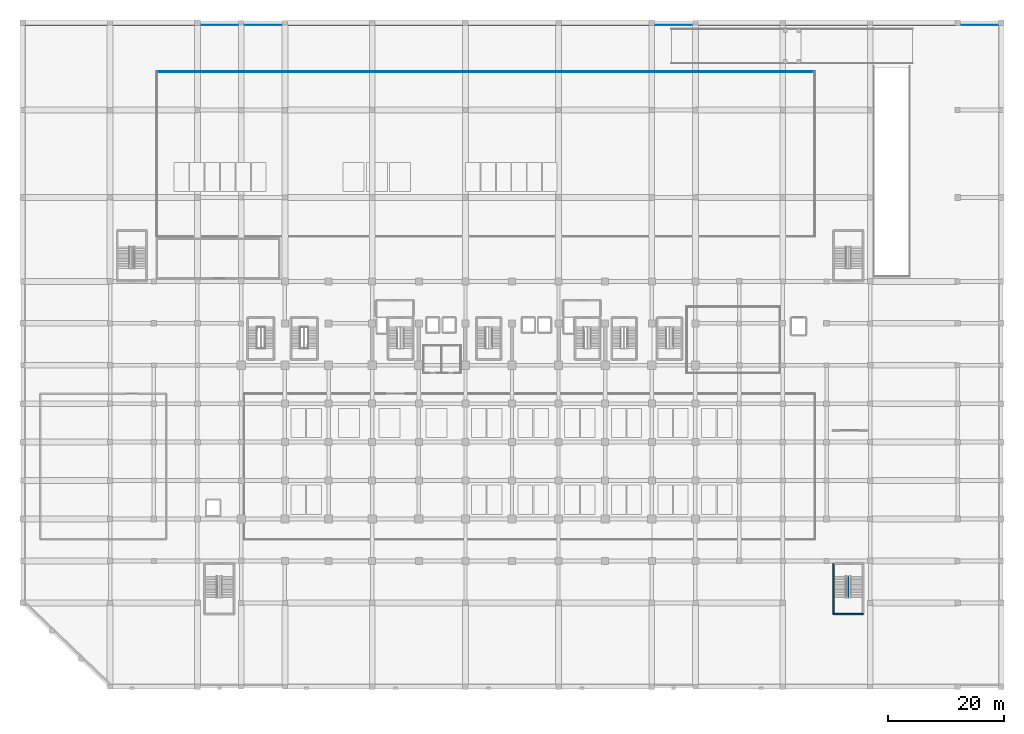
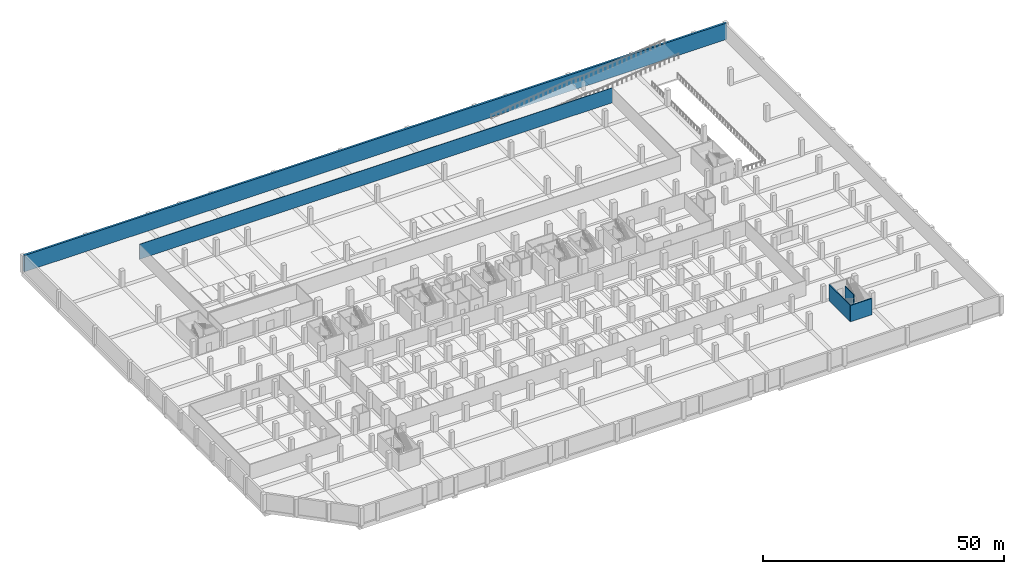
# One storey, part 15 of 25: 5 walls.
"""IFC4 building model written with IfcOpenShell, lengths in metres."""

import ifcopenshell
import ifcopenshell.guid

model = None  # the IFC model being written
_history = None  # IfcOwnerHistory: only IFC2X3 demands one
_inside = {}  # id of a spatial element -> (the spatial element, [elements in it])
_under = {}  # id of a project, library or spatial element -> (it, [spatial elements below it])
_declared = {}  # id of a project -> (the project, [libraries it declares])
_typed = {}  # id of a type object -> (the type object, [elements of that type])
_made_of = {}  # id of a material, layer set ... -> (it, [elements and type objects made of it])


def new_model(schema):
    """Start an empty IFC model of exactly this schema.

    Asked for "IFC4X3", IfcOpenShell would pick the latest addendum, in which some entities
    have other attributes; the version numbers below select the first issue.
    IFC2X3 requires an IfcOwnerHistory on every rooted entity: one is made here for all.
    """
    global model, _history
    if schema == "IFC4X3":
        model = ifcopenshell.file(schema_version=(4, 3, 0, 0))
    else:
        model = ifcopenshell.file(schema=schema)
    _inside.clear()
    _under.clear()
    _declared.clear()
    _typed.clear()
    _made_of.clear()
    _history = None
    if model.schema == "IFC2X3":
        org = make("IfcOrganization", Name="unknown")
        user = make(
            "IfcPersonAndOrganization",
            ThePerson=make("IfcPerson", FamilyName="unknown"),
            TheOrganization=org,
        )
        app = make(
            "IfcApplication",
            ApplicationDeveloper=org,
            Version="unknown",
            ApplicationFullName="unknown",
            ApplicationIdentifier="unknown",
        )
        _history = make(
            "IfcOwnerHistory",
            OwningUser=user,
            OwningApplication=app,
            ChangeAction="ADDED",
            CreationDate=0,
        )
    return model


def make(cls, **values):
    """One entity of the class cls with the attributes given. An attribute that is None is left unset."""
    return model.create_entity(
        cls, **{name: value for name, value in values.items() if value is not None}
    )


def rooted(cls, **values):
    """An entity with a GlobalId (a new one), such as an element, a storey or a relation."""
    return make(cls, GlobalId=ifcopenshell.guid.new(), OwnerHistory=_history, **values)


def si_unit(unit_type, name, prefix=None):
    """IfcSIUnit, for example si_unit("LENGTHUNIT", "METRE", prefix="MILLI")."""
    return make("IfcSIUnit", UnitType=unit_type, Prefix=prefix, Name=name)


def assignment(units):
    """IfcUnitAssignment: the units of a project."""
    return None if units is None else make("IfcUnitAssignment", Units=units)


def point(xyz):
    """IfcCartesianPoint."""
    return None if xyz is None else make("IfcCartesianPoint", Coordinates=xyz)


def direction(xyz):
    """IfcDirection."""
    return None if xyz is None else make("IfcDirection", DirectionRatios=xyz)


def frame(location, z_axis=None, x_axis=None):
    """IfcAxis2Placement3D, a coordinate frame: its origin and axes. An axis left out is left unset."""
    return make(
        "IfcAxis2Placement3D",
        Location=point(location),
        Axis=direction(z_axis),
        RefDirection=direction(x_axis),
    )


def frame_2d(location, x_axis=None):
    """IfcAxis2Placement2D, a coordinate frame in the plane: its origin and x axis."""
    return make(
        "IfcAxis2Placement2D", Location=point(location), RefDirection=direction(x_axis)
    )


def origin():
    """The frame at (0, 0, 0) with its axes left unset."""
    return frame((0.0, 0.0, 0.0))


def place(relative_to, where):
    """IfcLocalPlacement: puts the frame where relative to a parent placement (None: the world)."""
    return make(
        "IfcLocalPlacement", PlacementRelTo=relative_to, RelativePlacement=where
    )


def context(
    kind, dimensions, precision=None, world=None, true_north=None, identifier=None
):
    """IfcGeometricRepresentationContext, for example the 3D "Model" context."""
    return make(
        "IfcGeometricRepresentationContext",
        ContextIdentifier=identifier,
        ContextType=kind,
        CoordinateSpaceDimension=dimensions,
        Precision=precision,
        WorldCoordinateSystem=world,
        TrueNorth=true_north,
    )


def subcontext(parent, identifier, kind, view, scale=None):
    """IfcGeometricRepresentationSubContext, for example "Body" below "Model"."""
    return make(
        "IfcGeometricRepresentationSubContext",
        ContextIdentifier=identifier,
        ContextType=kind,
        ParentContext=parent,
        TargetScale=scale,
        TargetView=view,
    )


def project(units=None, contexts=None):
    """IfcProject with its units and contexts."""
    return rooted(
        "IfcProject",
        Name="project",
        RepresentationContexts=contexts,
        UnitsInContext=assignment(units),
    )


def spatial(cls, under=None, at=None, **own):
    """A site, building, storey or space (cls), placed at a placement, below another one or the project."""
    s = rooted(cls, ObjectPlacement=at, **own)
    if under is not None:
        _under.setdefault(under.id(), (under, []))[1].append(s)
    return s


def profile(cls, at=None, kind="AREA", **sizes):
    """A parametric profile (cls). Its sizes go by their IFC names, for example OverallWidth=200.0."""
    return make(cls, ProfileType=kind, Position=at, **sizes)


def rectangle(**sizes):
    """IfcRectangleProfileDef."""
    return profile("IfcRectangleProfileDef", **sizes)


def extrude(swept, where, along, depth):
    """IfcExtrudedAreaSolid: the profile swept, set in the frame where, extruded along a direction by depth."""
    return make(
        "IfcExtrudedAreaSolid",
        SweptArea=swept,
        Position=where,
        ExtrudedDirection=direction(along),
        Depth=depth,
    )


def shape(context_of_items, identifier, shape_type, items):
    """IfcShapeRepresentation: the items that make up one representation, for example the "Body"."""
    return make(
        "IfcShapeRepresentation",
        ContextOfItems=context_of_items,
        RepresentationIdentifier=identifier,
        RepresentationType=shape_type,
        Items=items,
    )


def material(Name=None, Category=None):
    """IfcMaterial."""
    return make("IfcMaterial", Name=Name, Category=Category)


def layer(
    of_material, thickness, ventilated=None, Name=None, Category=None, Priority=None
):
    """IfcMaterialLayer: one layer of a wall or slab, of a material (None: an air gap)."""
    return make(
        "IfcMaterialLayer",
        Material=of_material,
        LayerThickness=thickness,
        IsVentilated=ventilated,
        Name=Name,
        Category=Category,
        Priority=Priority,
    )


def layer_set(layers, Name=None):
    """IfcMaterialLayerSet."""
    return make("IfcMaterialLayerSet", MaterialLayers=layers, LayerSetName=Name)


def made_of(thing, what):
    """Note that an element or type object is made of a material, layer set ...; save() writes the relation."""
    if what is not None:
        _made_of.setdefault(what.id(), (what, []))[1].append(thing)
    return thing


def type_object(cls, material=None, **own):
    """A type object (cls), such as IfcWallType, which elements share."""
    return made_of(rooted(cls, **own), material)


def element(
    cls,
    number,
    at=None,
    inside=None,
    cuts=None,
    type_object=None,
    material=None,
    context=None,
    identifier="Body",
    shape_type=None,
    held_by="IfcProductDefinitionShape",
    body=None,
    shapes=None,
    **own,
):
    """One element of the class cls, such as IfcWall. Its Tag is "e" and its number.

    at: its placement. inside: the storey or other place that contains it. cuts: it is an
    opening in that element (IfcRelVoidsElement). A single representation is given by context,
    identifier, shape_type and body (its items); several are given by shapes. held_by: the class
    of the entity that holds the representations. save() writes the other relations.
    """
    e = rooted(cls, Tag="e%d" % number, ObjectPlacement=at, **own)
    if body is not None:
        shapes = [shape(context, identifier, shape_type, body)]
    if shapes is not None:
        e.Representation = make(held_by, Representations=shapes)
    if inside is not None:
        _inside.setdefault(inside.id(), (inside, []))[1].append(e)
    if cuts is not None:
        rooted(
            "IfcRelVoidsElement", RelatingBuildingElement=cuts, RelatedOpeningElement=e
        )
    if type_object is not None:
        _typed.setdefault(type_object.id(), (type_object, []))[1].append(e)
    return made_of(e, material)


def aggregate(whole, parts):
    """IfcRelAggregates: a whole, such as a stair, and the parts it consists of."""
    return rooted("IfcRelAggregates", RelatingObject=whole, RelatedObjects=parts)


def save(model, path):
    """Write the relations noted so far, then the file.

    IfcRelAggregates (storeys below a building ...), IfcRelContainedInSpatialStructure (elements
    in a storey), IfcRelDefinesByType, IfcRelAssociatesMaterial and IfcRelDeclares: one each for
    every whole, place, type object, material and project.
    """
    for whole, parts in _under.values():
        aggregate(whole, parts)
    for where, things in _inside.values():
        rooted(
            "IfcRelContainedInSpatialStructure",
            RelatedElements=things,
            RelatingStructure=where,
        )
    for kind, things in _typed.values():
        rooted("IfcRelDefinesByType", RelatedObjects=things, RelatingType=kind)
    for what, things in _made_of.values():
        rooted("IfcRelAssociatesMaterial", RelatedObjects=things, RelatingMaterial=what)
    for by, libraries in _declared.values():
        rooted("IfcRelDeclares", RelatingContext=by, RelatedDefinitions=libraries)
    model.write(path)


model = new_model("IFC4")

# Units and contexts
model_context = context("Model", 3, precision=1e-05, world=origin(), true_north=direction((0.0, 1.0)))
body_context = subcontext(model_context, "Body", "Model", "MODEL_VIEW")
ifc_project = project(units=[si_unit("LENGTHUNIT", "METRE"), si_unit("AREAUNIT", "SQUARE_METRE"), si_unit("VOLUMEUNIT", "CUBIC_METRE"), si_unit("PLANEANGLEUNIT", "RADIAN"), si_unit("MASSUNIT", "GRAM", prefix="KILO")], contexts=[model_context])

# Site, building, storey
site_placement = place(None, origin())
site = spatial("IfcSite", under=ifc_project, at=site_placement, CompositionType="ELEMENT")
building_placement = place(site_placement, origin())
building = spatial("IfcBuilding", under=site, at=building_placement, Name="Akrevak Sports Hall", CompositionType="ELEMENT")
storey_placement = place(building_placement, frame((0.0, 0.0, -4.5)))
storey = spatial("IfcBuildingStorey", under=building, at=storey_placement, Name="B01", CompositionType="ELEMENT", Elevation=-4.5)

# Walls
ifc_material_1 = material(Name="Acoustic Metal Stud Partition", Category="gypsum")
ifc_layer_1 = layer(ifc_material_1, 0.1298828125, Name="Acoustic Metal Stud Partition")
ifc_layer_set_1 = layer_set([ifc_layer_1], Name="Acoustic Metal Stud Partition")
wall_type_1 = type_object("IfcWallType", Name="ARC-WL-PRT-130", PredefinedType="PARTITIONING", material=ifc_layer_set_1)
wall_1_placement = place(storey_placement, frame((23.0, 105.60009765625, 0.0), z_axis=(0.0, 0.0, 1.0), x_axis=(1.0, 0.0, 0.0)))
element("IfcWall", 1, at=wall_1_placement, inside=storey, type_object=wall_type_1, Name="Interior Partition Underground Car Park Hall North B01 (N)", PredefinedType="PARTITIONING", context=body_context, shape_type="SweptSolid", body=[
    extrude(rectangle(XDim=113.0, YDim=0.1298828125, at=frame_2d((56.5, 0.0))), origin(), (0.0, 0.0, 1.0), 3.780029296875),
])
ifc_material_2 = material(Name="Concrete C40/50", Category="concrete")
ifc_layer_2 = layer(ifc_material_2, 0.219970703125, Name="Concrete C40/50")
ifc_layer_set_2 = layer_set([ifc_layer_2], Name="Concrete C40/50")
wall_type_2 = type_object("IfcWallType", Name="ARC-WL-PRT-220", PredefinedType="PARTITIONING", material=ifc_layer_set_2)
wall_2_placement = place(storey_placement, frame((141.75, 15.31005859375, 0.0), z_axis=(0.0, 0.0, 1.0), x_axis=(0.0, 1.0, 0.0)))
element("IfcWall", 2, at=wall_2_placement, inside=storey, type_object=wall_type_2, Name="Stair ST7 Central Spine Wall (B01)", PredefinedType="PARTITIONING", context=body_context, shape_type="SweptSolid", body=[
    extrude(rectangle(XDim=3.639892578125, YDim=0.219970703125, at=frame_2d((1.81982421875, 0.0))), origin(), (0.0, 0.0, 1.0), 4.14990234375),
])
ifc_layer_3 = layer(ifc_material_2, 0.47998046875, Name="Concrete C40/50")
ifc_layer_set_3 = layer_set([ifc_layer_3], Name="Concrete C40/50")
wall_type_3 = type_object("IfcWallType", Name="STR-WL-RET-480", PredefinedType="SOLIDWALL", material=ifc_layer_set_3)
wall_3_placement = place(storey_placement, frame((168.0, 113.760009765625, 0.0), z_axis=(0.0, 0.0, 1.0), x_axis=(-1.0, 0.0, 0.0)))
element("IfcWall", 3, at=wall_3_placement, inside=storey, type_object=wall_type_3, Name="Basement Retaining Wall B01-3", PredefinedType="SOLIDWALL", context=body_context, shape_type="SweptSolid", body=[
    extrude(rectangle(XDim=168.0, YDim=0.47998046875, at=frame_2d((84.0, 0.0))), origin(), (0.0, 0.0, 1.0), 4.14990234375),
])
ifc_material_3 = material(Name="Concrete C50/60", Category="concrete")
ifc_layer_4 = layer(ifc_material_3, 0.25, Name="Concrete C50/60")
ifc_layer_set_4 = layer_set([ifc_layer_4], Name="Concrete C50/60")
wall_type_4 = type_object("IfcWallType", Name="STR-WL-STAIR-250", PredefinedType="SHEAR", material=ifc_layer_set_4)
wall_4_placement = place(storey_placement, frame((139.22509765625, 12.47509765625, 0.0), z_axis=(0.0, 0.0, 1.0), x_axis=(1.0, 0.0, 0.0)))
element("IfcWall", 4, at=wall_4_placement, inside=storey, type_object=wall_type_4, Name="Stair Core ST7 Shear Wall S (B01)", PredefinedType="SHEAR", context=body_context, shape_type="SweptSolid", body=[
    extrude(rectangle(XDim=5.0498046875, YDim=0.25, at=frame_2d((2.52490234375, 0.0))), origin(), (0.0, 0.0, 1.0), 4.14990234375),
])
wall_5_placement = place(storey_placement, frame((139.22509765625, 21.175048828125, 0.0), z_axis=(0.0, 0.0, 1.0), x_axis=(0.0, -1.0, 0.0)))
element("IfcWall", 5, at=wall_5_placement, inside=storey, type_object=wall_type_4, Name="Stair Core ST7 Shear Wall W (B01)", PredefinedType="SHEAR", context=body_context, shape_type="SweptSolid", body=[
    extrude(rectangle(XDim=8.699951171875, YDim=0.25, at=frame_2d((4.35009765625, 0.0))), origin(), (0.0, 0.0, 1.0), 4.14990234375),
])

save(model, "model.ifc")
